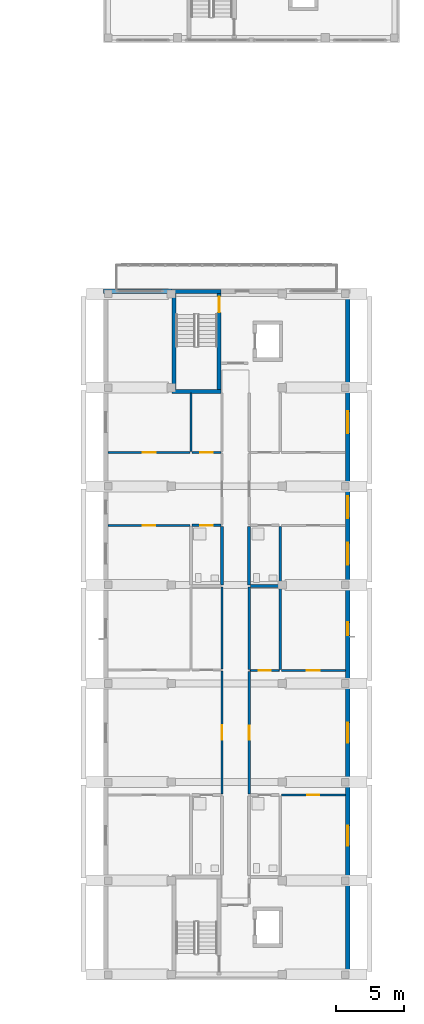
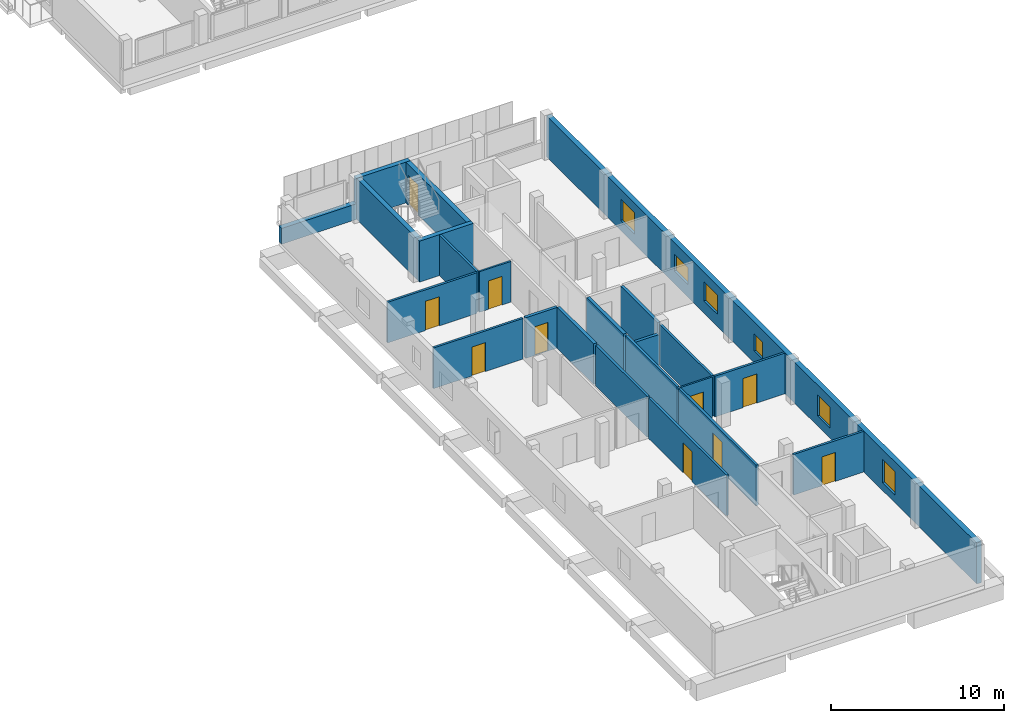
# One storey, part 21 of 41: 23 walls, 10 doors, 6 windows, 16 openings.
"""IFC4 building model written with IfcOpenShell, lengths in metres."""

from ifc_helpers import new_model, si_unit, derived_unit, direction, frame, frame_2d, origin, place, context, subcontext, project, spatial, rectangle, extrude, material, layer, layer_set, type_object, element, fill, save


model = new_model("IFC4")

# Units and contexts
model_context = context("Model", 3, precision=1e-05, world=origin(), true_north=direction((0.0, 1.0)))
body_context = subcontext(model_context, "Body", "Model", "MODEL_VIEW")
ifc_project = project(units=[si_unit("LENGTHUNIT", "METRE"), si_unit("AREAUNIT", "SQUARE_METRE"), si_unit("VOLUMEUNIT", "CUBIC_METRE"), si_unit("PLANEANGLEUNIT", "RADIAN"), si_unit("MASSUNIT", "GRAM", prefix="KILO"), derived_unit("THERMALTRANSMITTANCEUNIT", [(si_unit("MASSUNIT", "GRAM", prefix="KILO"), 1), (si_unit("TIMEUNIT", "SECOND"), -3), (si_unit("THERMODYNAMICTEMPERATUREUNIT", "KELVIN"), -1)])], contexts=[model_context])

# Site, building, storey
site_placement = place(None, origin())
site = spatial("IfcSite", under=ifc_project, at=site_placement, CompositionType="ELEMENT")
building_placement = place(site_placement, origin())
building = spatial("IfcBuilding", under=site, at=building_placement, Name="Ochrekiln Boulevard Commons", CompositionType="ELEMENT")
storey_placement = place(building_placement, frame((0.0, 0.0, 21.52490234375)))
storey = spatial("IfcBuildingStorey", under=building, at=storey_placement, Name="L06", CompositionType="ELEMENT", Elevation=21.52490234375)

# Wall, openings, windows
ifc_material_1 = material(Name="Desert ochre clinker brick masonry ASTM C216 Grade SW", Category="masonry")
ifc_layer_1 = layer(ifc_material_1, 0.330078125)
ifc_layer_set_1 = layer_set([ifc_layer_1], Name="Desert ochre clinker brick masonry ASTM C216 Grade SW")
wall_type_1 = type_object("IfcWallType", Name="WL-EXT-OCHRE-330", PredefinedType="SOLIDWALL", material=ifc_layer_set_1)
wall_1_placement = place(storey_placement, frame((169.034912109375, 0.330078125, 0.0), z_axis=(0.0, 0.0, 1.0), x_axis=(0.0, 1.0, 0.0)))
wall_1 = element("IfcWall", 1, at=wall_1_placement, inside=storey, type_object=wall_type_1, Name="Block C L06 E Exterior Wall", PredefinedType="SOLIDWALL", context=body_context, shape_type="SweptSolid", body=[
    extrude(rectangle(XDim=49.739990234375, YDim=0.330078125, at=frame_2d((24.8701171875, 0.0))), origin(), (0.0, 0.0, 1.0), 2.89013671875),
])
opening_1_placement = place(wall_1_placement, frame((16.929931640625, 0.0, 0.705078125)))
opening_1 = element("IfcOpeningElement", 2, at=opening_1_placement, cuts=wall_1, Name="Opening W-28", PredefinedType="OPENING", context=body_context, shape_type="SweptSolid", body=[
    extrude(rectangle(XDim=1.47998046875, YDim=1.5, at=frame_2d((0.739990234375, 0.75))), frame((0.0, 0.175048828125, 0.0), z_axis=(0.0, -1.0, 0.0), x_axis=(1.0, 0.0, 0.0)), (0.0, 0.0, 1.0), 0.35009765625),
])
opening_2_placement = place(wall_1_placement, frame((9.4150390625, 0.0, 0.554931640625)))
opening_2 = element("IfcOpeningElement", 3, at=opening_2_placement, cuts=wall_1, Name="Opening W-29", PredefinedType="OPENING", context=body_context, shape_type="SweptSolid", body=[
    extrude(rectangle(XDim=1.47998046875, YDim=1.64990234375, at=frame_2d((0.739990234375, 0.824951171875))), frame((0.0, 0.175048828125, 0.0), z_axis=(0.0, -1.0, 0.0), x_axis=(1.0, 0.0, 0.0)), (0.0, 0.0, 1.0), 0.35009765625),
])
opening_3_placement = place(wall_1_placement, frame((24.77490234375, 0.0, 0.85009765625)))
opening_3 = element("IfcOpeningElement", 4, at=opening_3_placement, cuts=wall_1, Name="Opening W-01", PredefinedType="OPENING", context=body_context, shape_type="SweptSolid", body=[
    extrude(rectangle(XDim=0.949951171875, YDim=1.199951171875, at=frame_2d((0.47509765625, 0.60009765625))), frame((0.0, 0.175048828125, 0.0), z_axis=(0.0, -1.0, 0.0), x_axis=(1.0, 0.0, 0.0)), (0.0, 0.0, 1.0), 0.35009765625),
])
opening_4_placement = place(wall_1_placement, frame((33.34912109375, 0.0, 0.89990234375)))
opening_4 = element("IfcOpeningElement", 5, at=opening_4_placement, cuts=wall_1, Name="Opening W-31", PredefinedType="OPENING", context=body_context, shape_type="SweptSolid", body=[
    extrude(rectangle(XDim=1.60009765625, YDim=1.199951171875, at=frame_2d((0.800048828125, 0.60009765625))), frame((0.0, 0.175048828125, 0.0), z_axis=(0.0, -1.0, 0.0), x_axis=(1.0, 0.0, 0.0)), (0.0, 0.0, 1.0), 0.35009765625),
])
opening_5_placement = place(wall_1_placement, frame((29.93896484375, 0.0, 0.85498046875)))
opening_5 = element("IfcOpeningElement", 6, at=opening_5_placement, cuts=wall_1, Name="Opening W-32", PredefinedType="OPENING", context=body_context, shape_type="SweptSolid", body=[
    extrude(rectangle(XDim=1.60009765625, YDim=1.35009765625, at=frame_2d((0.800048828125, 0.675048828125))), frame((0.0, 0.175048828125, 0.0), z_axis=(0.0, -1.0, 0.0), x_axis=(1.0, 0.0, 0.0)), (0.0, 0.0, 1.0), 0.35009765625),
])
opening_6_placement = place(wall_1_placement, frame((39.541015625, 0.0, 0.705078125)))
opening_6 = element("IfcOpeningElement", 7, at=opening_6_placement, cuts=wall_1, Name="Opening W-33", PredefinedType="OPENING", context=body_context, shape_type="SweptSolid", body=[
    extrude(rectangle(XDim=1.60009765625, YDim=1.5, at=frame_2d((0.800048828125, 0.75))), frame((0.0, 0.175048828125, 0.0), z_axis=(0.0, -1.0, 0.0), x_axis=(1.0, 0.0, 0.0)), (0.0, 0.0, 1.0), 0.35009765625),
])
ifc_material_2 = material(Name="Thermally broken aluminium-clad oak frame", Category="aluminium")
window_type_1 = type_object("IfcWindowType", Name="WIN-EXT-01", PartitioningType="SINGLE_PANEL", PredefinedType="WINDOW", material=ifc_material_2)
window_1_placement = place(opening_3_placement, origin())
window_1 = element("IfcWindow", 8, at=window_1_placement, inside=storey, type_object=window_type_1, Name="Block C L06 Punched Masonry Window W-01", OverallHeight=1.199951171875, OverallWidth=0.949951171875, PartitioningType="SINGLE_PANEL", PredefinedType="WINDOW", context=body_context, shape_type="SweptSolid", body=[
    extrude(rectangle(XDim=0.949951171875, YDim=1.199951171875, at=frame_2d((0.47509765625, 0.60009765625))), frame((0.0, 0.030029296875, 0.0), z_axis=(0.0, -1.0, 0.0), x_axis=(1.0, 0.0, 0.0)), (0.0, 0.0, 1.0), 0.06005859375),
])
fill(opening_3, window_1)
window_type_2 = type_object("IfcWindowType", Name="WIN-EXT-28", PartitioningType="SINGLE_PANEL", PredefinedType="WINDOW", material=ifc_material_2)
window_2_placement = place(opening_1_placement, origin())
window_2 = element("IfcWindow", 9, at=window_2_placement, inside=storey, type_object=window_type_2, Name="Block C L06 Punched Masonry Window W-28", OverallHeight=1.5, OverallWidth=1.47998046875, PartitioningType="SINGLE_PANEL", PredefinedType="WINDOW", context=body_context, shape_type="SweptSolid", body=[
    extrude(rectangle(XDim=1.47998046875, YDim=1.5, at=frame_2d((0.739990234375, 0.75))), frame((0.0, 0.030029296875, 0.0), z_axis=(0.0, -1.0, 0.0), x_axis=(1.0, 0.0, 0.0)), (0.0, 0.0, 1.0), 0.06005859375),
])
fill(opening_1, window_2)
window_type_3 = type_object("IfcWindowType", Name="WIN-EXT-29", PartitioningType="SINGLE_PANEL", PredefinedType="WINDOW", material=ifc_material_2)
window_3_placement = place(opening_2_placement, origin())
window_3 = element("IfcWindow", 10, at=window_3_placement, inside=storey, type_object=window_type_3, Name="Block C L06 Punched Masonry Window W-29", OverallHeight=1.64990234375, OverallWidth=1.47998046875, PartitioningType="SINGLE_PANEL", PredefinedType="WINDOW", context=body_context, shape_type="SweptSolid", body=[
    extrude(rectangle(XDim=1.47998046875, YDim=1.64990234375, at=frame_2d((0.739990234375, 0.824951171875))), frame((0.0, 0.030029296875, 0.0), z_axis=(0.0, -1.0, 0.0), x_axis=(1.0, 0.0, 0.0)), (0.0, 0.0, 1.0), 0.06005859375),
])
fill(opening_2, window_3)
window_type_4 = type_object("IfcWindowType", Name="WIN-EXT-31", PartitioningType="DOUBLE_PANEL_VERTICAL", PredefinedType="WINDOW", material=ifc_material_2)
window_4_placement = place(opening_4_placement, origin())
window_4 = element("IfcWindow", 11, at=window_4_placement, inside=storey, type_object=window_type_4, Name="Block C L06 Punched Masonry Window W-31", OverallHeight=1.199951171875, OverallWidth=1.60009765625, PartitioningType="DOUBLE_PANEL_VERTICAL", PredefinedType="WINDOW", context=body_context, shape_type="SweptSolid", body=[
    extrude(rectangle(XDim=1.60009765625, YDim=1.199951171875, at=frame_2d((0.800048828125, 0.60009765625))), frame((0.0, 0.030029296875, 0.0), z_axis=(0.0, -1.0, 0.0), x_axis=(1.0, 0.0, 0.0)), (0.0, 0.0, 1.0), 0.06005859375),
])
fill(opening_4, window_4)
window_type_5 = type_object("IfcWindowType", Name="WIN-EXT-32", PartitioningType="DOUBLE_PANEL_VERTICAL", PredefinedType="WINDOW", material=ifc_material_2)
window_5_placement = place(opening_5_placement, origin())
window_5 = element("IfcWindow", 12, at=window_5_placement, inside=storey, type_object=window_type_5, Name="Block C L06 Punched Masonry Window W-32", OverallHeight=1.35009765625, OverallWidth=1.60009765625, PartitioningType="DOUBLE_PANEL_VERTICAL", PredefinedType="WINDOW", context=body_context, shape_type="SweptSolid", body=[
    extrude(rectangle(XDim=1.60009765625, YDim=1.35009765625, at=frame_2d((0.800048828125, 0.675048828125))), frame((0.0, 0.030029296875, 0.0), z_axis=(0.0, -1.0, 0.0), x_axis=(1.0, 0.0, 0.0)), (0.0, 0.0, 1.0), 0.06005859375),
])
fill(opening_5, window_5)
window_type_6 = type_object("IfcWindowType", Name="WIN-EXT-33", PartitioningType="DOUBLE_PANEL_VERTICAL", PredefinedType="WINDOW", material=ifc_material_2)
window_6_placement = place(opening_6_placement, origin())
window_6 = element("IfcWindow", 13, at=window_6_placement, inside=storey, type_object=window_type_6, Name="Block C L06 Punched Masonry Window W-33", OverallHeight=1.5, OverallWidth=1.60009765625, PartitioningType="DOUBLE_PANEL_VERTICAL", PredefinedType="WINDOW", context=body_context, shape_type="SweptSolid", body=[
    extrude(rectangle(XDim=1.60009765625, YDim=1.5, at=frame_2d((0.800048828125, 0.75))), frame((0.0, 0.030029296875, 0.0), z_axis=(0.0, -1.0, 0.0), x_axis=(1.0, 0.0, 0.0)), (0.0, 0.0, 1.0), 0.06005859375),
])
fill(opening_6, window_6)

# Wall
wall_2_placement = place(storey_placement, frame((151.199951171875, 50.235107421875, 0.0), z_axis=(0.0, 0.0, 1.0), x_axis=(1.0, 0.0, 0.0)))
element("IfcWall", 14, at=wall_2_placement, inside=storey, type_object=wall_type_1, Name="Block C L06 Courtyard Gable Sill Wall L", PredefinedType="SOLIDWALL", context=body_context, shape_type="SweptSolid", body=[
    extrude(rectangle(XDim=5.0, YDim=0.330078125, at=frame_2d((2.5, 0.0))), origin(), (0.0, 0.0, 1.0), 1.110107421875),
])

# Wall, opening, door
ifc_material_3 = material(Name="Moisture-resistant cementitious tile backer wall")
ifc_layer_2 = layer(ifc_material_3, 0.199951171875)
ifc_layer_set_2 = layer_set([ifc_layer_2], Name="Moisture-resistant cementitious tile backer wall")
wall_type_2 = type_object("IfcWallType", Name="WL-PLM-200", PredefinedType="PLUMBINGWALL", material=ifc_layer_set_2)
wall_3_placement = place(storey_placement, frame((157.669921875, 33.14697265625, 0.0), z_axis=(0.0, 0.0, 1.0), x_axis=(1.0, 0.0, 0.0)))
wall_3 = element("IfcWall", 15, at=wall_3_placement, inside=storey, type_object=wall_type_2, Name="L06 Interior Wall W-PW200", PredefinedType="PLUMBINGWALL", context=body_context, shape_type="SweptSolid", body=[
    extrude(rectangle(XDim=2.108154296875, YDim=0.199951171875, at=frame_2d((1.05419921875, 0.0))), origin(), (0.0, 0.0, 1.0), 2.8701171875),
])
opening_7_placement = place(wall_3_placement, frame((0.60498046875, 0.0, 0.0)))
opening_7 = element("IfcOpeningElement", 16, at=opening_7_placement, cuts=wall_3, Name="Opening D-L06-855", PredefinedType="OPENING", context=body_context, shape_type="SweptSolid", body=[
    extrude(rectangle(XDim=0.889892578125, YDim=2.030029296875, at=frame_2d((0.44482421875, 1.01513671875))), frame((0.0, 0.10986328125, 0.0), z_axis=(0.0, -1.0, 0.0), x_axis=(1.0, 0.0, 0.0)), (0.0, 0.0, 1.0), 0.219970703125),
])
ifc_material_4 = material(Name="Solid core architectural oak door leaf")
door_type_1 = type_object("IfcDoorType", Name="DR-INT-BTH-089", OperationType="NOTDEFINED", PredefinedType="DOOR", material=ifc_material_4)
door_1_placement = place(opening_7_placement, frame((0.889892578125, 0.0, 0.0), z_axis=(0.0, 0.0, 1.0), x_axis=(-1.0, 0.0, 0.0)))
door_1 = element("IfcDoor", 17, at=door_1_placement, inside=storey, type_object=door_type_1, Name="L06 Interior Door to Apartment Bathroom", OperationType="SINGLE_SWING_LEFT", OverallHeight=2.030029296875, OverallWidth=0.889892578125, PredefinedType="DOOR", context=body_context, shape_type="SweptSolid", body=[
    extrude(rectangle(XDim=0.889892578125, YDim=2.030029296875, at=frame_2d((0.44482421875, 1.01513671875))), frame((0.0, 0.02490234375, 0.0), z_axis=(0.0, -1.0, 0.0), x_axis=(1.0, 0.0, 0.0)), (0.0, 0.0, 1.0), 0.050048828125),
])
fill(opening_7, door_1)

# Walls
wall_4_placement = place(storey_placement, frame((161.923095703125, 28.719970703125, 0.0), z_axis=(0.0, 0.0, 1.0), x_axis=(1.0, 0.0, 0.0)))
element("IfcWall", 18, at=wall_4_placement, inside=storey, type_object=wall_type_2, Name="L06 Interior Wall W-PW200", PredefinedType="PLUMBINGWALL", context=body_context, shape_type="SweptSolid", body=[
    extrude(rectangle(XDim=2.11181640625, YDim=0.199951171875, at=frame_2d((1.055908203125, 0.0))), origin(), (0.0, 0.0, 1.0), 2.16015625),
])
wall_5_placement = place(storey_placement, frame((164.110107421875, 28.81005859375, 0.0), z_axis=(0.0, 0.0, 1.0), x_axis=(0.0, 1.0, 0.0)))
element("IfcWall", 19, at=wall_5_placement, inside=storey, type_object=wall_type_2, Name="L06 Interior Wall W-PW200", PredefinedType="PLUMBINGWALL", context=body_context, shape_type="SweptSolid", body=[
    extrude(rectangle(XDim=4.2568359375, YDim=0.199951171875, at=frame_2d((2.12841796875, 0.0))), origin(), (0.0, 0.0, 1.0), 2.8701171875),
])
ifc_layer_3 = layer(ifc_material_3, 0.219970703125)
ifc_layer_set_3 = layer_set([ifc_layer_3], Name="Moisture-resistant cementitious tile backer wall")
wall_type_3 = type_object("IfcWallType", Name="WL-PLM-220", PredefinedType="PLUMBINGWALL", material=ifc_layer_set_3)
for number, where, z_axis, x_axis, name in (
    (20, (159.860107421875, 28.81005859375, 0.0), (0.0, 0.0, 1.0), (0.0, 1.0, 0.0), "L06 Interior Wall W-PW220"),
    (21, (161.840087890625, 28.81005859375, 0.0), (0.0, 0.0, 1.0), (0.0, 1.0, 0.0), "L06 Interior Wall W-PW220"),
):
    element("IfcWall", number, at=place(storey_placement, frame(where, z_axis=z_axis, x_axis=x_axis)), inside=storey, type_object=wall_type_3, Name=name, PredefinedType="PLUMBINGWALL", context=body_context, shape_type="SweptSolid", body=[
        extrude(rectangle(XDim=4.2568359375, YDim=0.219970703125, at=frame_2d((2.12841796875, 0.0))), origin(), (0.0, 0.0, 1.0), 2.8701171875),
    ])

# Wall, opening, door
ifc_material_5 = material(Name="Fire-rated Type X gypsum board on steel studs", Category="steel")
ifc_layer_4 = layer(ifc_material_5, 0.1650390625)
ifc_layer_set_4 = layer_set([ifc_layer_4], Name="Fire-rated Type X gypsum board on steel studs")
wall_type_4 = type_object("IfcWallType", Name="WL-PT-CORR-165", PredefinedType="PARTITIONING", material=ifc_layer_set_4)
wall_6_placement = place(storey_placement, frame((159.860107421875, 13.530029296875, 0.0), z_axis=(0.0, 0.0, 1.0), x_axis=(0.0, 1.0, 0.0)))
wall_6 = element("IfcWall", 22, at=wall_6_placement, inside=storey, type_object=wall_type_4, Name="L06 Interior Wall W-PC165", PredefinedType="PARTITIONING", context=body_context, shape_type="SweptSolid", body=[
    extrude(rectangle(XDim=8.98388671875, YDim=0.1650390625, at=frame_2d((4.491943359375, 0.0))), origin(), (0.0, 0.0, 1.0), 2.8701171875),
])
opening_8_placement = place(wall_6_placement, frame((3.967041015625, 0.0, 0.0)))
opening_8 = element("IfcOpeningElement", 23, at=opening_8_placement, cuts=wall_6, Name="Opening D-L06-847", PredefinedType="OPENING", context=body_context, shape_type="SweptSolid", body=[
    extrude(rectangle(XDim=1.050048828125, YDim=2.1298828125, at=frame_2d((0.52490234375, 1.06494140625))), frame((0.0, 0.092529296875, 0.0), z_axis=(0.0, -1.0, 0.0), x_axis=(1.0, 0.0, 0.0)), (0.0, 0.0, 1.0), 0.18505859375),
])
door_type_2 = type_object("IfcDoorType", Name="DR-INT-APT-105", OperationType="NOTDEFINED", PredefinedType="DOOR", material=ifc_material_4)
door_2_placement = place(opening_8_placement, origin())
door_2 = element("IfcDoor", 24, at=door_2_placement, inside=storey, type_object=door_type_2, Name="L06 Interior Door to Two-Bedroom Apartment Living Room", OperationType="SINGLE_SWING_LEFT", OverallHeight=2.1298828125, OverallWidth=1.050048828125, PredefinedType="DOOR", context=body_context, shape_type="SweptSolid", body=[
    extrude(rectangle(XDim=1.050048828125, YDim=2.1298828125, at=frame_2d((0.52490234375, 1.06494140625))), frame((0.0, 0.02490234375, 0.0), z_axis=(0.0, -1.0, 0.0), x_axis=(1.0, 0.0, 0.0)), (0.0, 0.0, 1.0), 0.050048828125),
])
fill(opening_8, door_2)

# Wall
wall_7_placement = place(storey_placement, frame((159.860107421875, 22.674072265625, 0.0), z_axis=(0.0, 0.0, 1.0), x_axis=(0.0, 1.0, 0.0)))
element("IfcWall", 25, at=wall_7_placement, inside=storey, type_object=wall_type_4, Name="L06 Interior Wall W-PC165", PredefinedType="PARTITIONING", context=body_context, shape_type="SweptSolid", body=[
    extrude(rectangle(XDim=5.955810546875, YDim=0.1650390625, at=frame_2d((2.97802734375, 0.0))), origin(), (0.0, 0.0, 1.0), 2.8701171875),
])

# Wall, opening, door
wall_8_placement = place(storey_placement, frame((161.840087890625, 13.530029296875, 0.0), z_axis=(0.0, 0.0, 1.0), x_axis=(0.0, 1.0, 0.0)))
wall_8 = element("IfcWall", 26, at=wall_8_placement, inside=storey, type_object=wall_type_4, Name="L06 Interior Wall W-PC165", PredefinedType="PARTITIONING", context=body_context, shape_type="SweptSolid", body=[
    extrude(rectangle(XDim=8.93994140625, YDim=0.1650390625, at=frame_2d((4.469970703125, 0.0))), origin(), (0.0, 0.0, 1.0), 2.8701171875),
])
opening_9_placement = place(wall_8_placement, frame((3.945068359375, 0.0, 0.0)))
opening_9 = element("IfcOpeningElement", 27, at=opening_9_placement, cuts=wall_8, Name="Opening D-L06-849", PredefinedType="OPENING", context=body_context, shape_type="SweptSolid", body=[
    extrude(rectangle(XDim=1.050048828125, YDim=2.1298828125, at=frame_2d((0.52490234375, 1.06494140625))), frame((0.0, 0.092529296875, 0.0), z_axis=(0.0, -1.0, 0.0), x_axis=(1.0, 0.0, 0.0)), (0.0, 0.0, 1.0), 0.18505859375),
])
door_3_placement = place(opening_9_placement, frame((1.050048828125, 0.0, 0.0), z_axis=(0.0, 0.0, 1.0), x_axis=(-1.0, 0.0, 0.0)))
door_3 = element("IfcDoor", 28, at=door_3_placement, inside=storey, type_object=door_type_2, Name="L06 Interior Door to Two-Bedroom Apartment Living Room", OperationType="SINGLE_SWING_LEFT", OverallHeight=2.1298828125, OverallWidth=1.050048828125, PredefinedType="DOOR", context=body_context, shape_type="SweptSolid", body=[
    extrude(rectangle(XDim=1.050048828125, YDim=2.1298828125, at=frame_2d((0.52490234375, 1.06494140625))), frame((0.0, 0.02490234375, 0.0), z_axis=(0.0, -1.0, 0.0), x_axis=(1.0, 0.0, 0.0)), (0.0, 0.0, 1.0), 0.050048828125),
])
fill(opening_9, door_3)

# Wall
wall_9_placement = place(storey_placement, frame((161.840087890625, 22.6298828125, 0.0), z_axis=(0.0, 0.0, 1.0), x_axis=(0.0, 1.0, 0.0)))
element("IfcWall", 29, at=wall_9_placement, inside=storey, type_object=wall_type_4, Name="L06 Interior Wall W-PC165", PredefinedType="PARTITIONING", context=body_context, shape_type="SweptSolid", body=[
    extrude(rectangle(XDim=6.0, YDim=0.1650390625, at=frame_2d((3.0, 0.0))), origin(), (0.0, 0.0, 1.0), 2.8701171875),
])

# Wall, opening, door
ifc_layer_5 = layer(ifc_material_5, 0.1201171875)
ifc_layer_set_5 = layer_set([ifc_layer_5], Name="Fire-rated Type X gypsum board on steel studs")
wall_type_5 = type_object("IfcWallType", Name="WL-PT-LGT-120", PredefinedType="PARTITIONING", material=ifc_layer_set_5)
wall_10_placement = place(storey_placement, frame((157.669921875, 38.462890625, 0.0), z_axis=(0.0, 0.0, 1.0), x_axis=(1.0, 0.0, 0.0)))
wall_10 = element("IfcWall", 30, at=wall_10_placement, inside=storey, type_object=wall_type_5, Name="L06 Interior Wall W-PL120", PredefinedType="PARTITIONING", context=body_context, shape_type="SweptSolid", body=[
    extrude(rectangle(XDim=2.108154296875, YDim=0.1201171875, at=frame_2d((1.05419921875, 0.0))), origin(), (0.0, 0.0, 1.0), 2.8701171875),
])
opening_10_placement = place(wall_10_placement, frame((0.590087890625, 0.0, 0.0)))
opening_10 = element("IfcOpeningElement", 31, at=opening_10_placement, cuts=wall_10, Name="Opening D-L06-856", PredefinedType="OPENING", context=body_context, shape_type="SweptSolid", body=[
    extrude(rectangle(XDim=0.919921875, YDim=2.02001953125, at=frame_2d((0.4599609375, 1.010009765625))), frame((0.0, 0.070068359375, 0.0), z_axis=(0.0, -1.0, 0.0), x_axis=(1.0, 0.0, 0.0)), (0.0, 0.0, 1.0), 0.14013671875),
])
door_type_3 = type_object("IfcDoorType", Name="DR-INT-KIT-092", OperationType="NOTDEFINED", PredefinedType="DOOR", material=ifc_material_4)
door_4_placement = place(opening_10_placement, origin())
door_4 = element("IfcDoor", 32, at=door_4_placement, inside=storey, type_object=door_type_3, Name="L06 Interior Door to Apartment Kitchen", OperationType="SINGLE_SWING_RIGHT", OverallHeight=2.02001953125, OverallWidth=0.919921875, PredefinedType="DOOR", context=body_context, shape_type="SweptSolid", body=[
    extrude(rectangle(XDim=0.919921875, YDim=2.02001953125, at=frame_2d((0.4599609375, 1.010009765625))), frame((0.0, 0.02490234375, 0.0), z_axis=(0.0, -1.0, 0.0), x_axis=(1.0, 0.0, 0.0)), (0.0, 0.0, 1.0), 0.050048828125),
])
fill(opening_10, door_4)

wall_11_placement = place(storey_placement, frame((161.923095703125, 22.550048828125, 0.0), z_axis=(0.0, 0.0, 1.0), x_axis=(1.0, 0.0, 0.0)))
wall_11 = element("IfcWall", 33, at=wall_11_placement, inside=storey, type_object=wall_type_5, Name="L06 Interior Wall W-PL120", PredefinedType="PARTITIONING", context=body_context, shape_type="SweptSolid", body=[
    extrude(rectangle(XDim=2.10693359375, YDim=0.1201171875, at=frame_2d((1.053466796875, 0.0))), origin(), (0.0, 0.0, 1.0), 2.8701171875),
])
opening_11_placement = place(wall_11_placement, frame((0.616943359375, 0.0, 0.0)))
opening_11 = element("IfcOpeningElement", 34, at=opening_11_placement, cuts=wall_11, Name="Opening D-L06-860", PredefinedType="OPENING", context=body_context, shape_type="SweptSolid", body=[
    extrude(rectangle(XDim=0.8798828125, YDim=2.02001953125, at=frame_2d((0.43994140625, 1.010009765625))), frame((0.0, 0.070068359375, 0.0), z_axis=(0.0, -1.0, 0.0), x_axis=(1.0, 0.0, 0.0)), (0.0, 0.0, 1.0), 0.14013671875),
])
door_type_4 = type_object("IfcDoorType", Name="DR-INT-KIT-088", OperationType="NOTDEFINED", PredefinedType="DOOR", material=ifc_material_4)
door_5_placement = place(opening_11_placement, origin())
door_5 = element("IfcDoor", 35, at=door_5_placement, inside=storey, type_object=door_type_4, Name="L06 Interior Door to Apartment Kitchen", OperationType="SINGLE_SWING_RIGHT", OverallHeight=2.02001953125, OverallWidth=0.8798828125, PredefinedType="DOOR", context=body_context, shape_type="SweptSolid", body=[
    extrude(rectangle(XDim=0.8798828125, YDim=2.02001953125, at=frame_2d((0.43994140625, 1.010009765625))), frame((0.0, 0.02490234375, 0.0), z_axis=(0.0, -1.0, 0.0), x_axis=(1.0, 0.0, 0.0)), (0.0, 0.0, 1.0), 0.050048828125),
])
fill(opening_11, door_5)

ifc_layer_6 = layer(ifc_material_5, 0.14990234375)
ifc_layer_set_6 = layer_set([ifc_layer_6], Name="Fire-rated Type X gypsum board on steel studs")
wall_type_6 = type_object("IfcWallType", Name="WL-PT-STD-150", PredefinedType="PARTITIONING", material=ifc_layer_set_6)
wall_12_placement = place(storey_placement, frame((151.530029296875, 33.14697265625, 0.0), z_axis=(0.0, 0.0, 1.0), x_axis=(1.0, 0.0, 0.0)))
wall_12 = element("IfcWall", 36, at=wall_12_placement, inside=storey, type_object=wall_type_6, Name="L06 Interior Wall W-PS150", PredefinedType="PARTITIONING", context=body_context, shape_type="SweptSolid", body=[
    extrude(rectangle(XDim=5.97998046875, YDim=0.14990234375, at=frame_2d((2.989990234375, 0.0))), origin(), (0.0, 0.0, 1.0), 2.8701171875),
])
opening_12_placement = place(wall_12_placement, frame((2.550048828125, 0.0, 0.0)))
opening_12 = element("IfcOpeningElement", 37, at=opening_12_placement, cuts=wall_12, Name="Opening D-L06-857", PredefinedType="OPENING", context=body_context, shape_type="SweptSolid", body=[
    extrude(rectangle(XDim=0.89990234375, YDim=2.0400390625, at=frame_2d((0.449951171875, 1.02001953125))), frame((0.0, 0.0849609375, 0.0), z_axis=(0.0, -1.0, 0.0), x_axis=(1.0, 0.0, 0.0)), (0.0, 0.0, 1.0), 0.169921875),
])
door_type_5 = type_object("IfcDoorType", Name="DR-INT-BED-090", OperationType="NOTDEFINED", PredefinedType="DOOR", material=ifc_material_4)
door_6_placement = place(opening_12_placement, frame((0.89990234375, 0.0, 0.0), z_axis=(0.0, 0.0, 1.0), x_axis=(-1.0, 0.0, 0.0)))
door_6 = element("IfcDoor", 38, at=door_6_placement, inside=storey, type_object=door_type_5, Name="L06 Interior Door to Primary Apartment Bedroom", OperationType="SINGLE_SWING_LEFT", OverallHeight=2.0400390625, OverallWidth=0.89990234375, PredefinedType="DOOR", context=body_context, shape_type="SweptSolid", body=[
    extrude(rectangle(XDim=0.89990234375, YDim=2.0400390625, at=frame_2d((0.449951171875, 1.02001953125))), frame((0.0, 0.02490234375, 0.0), z_axis=(0.0, -1.0, 0.0), x_axis=(1.0, 0.0, 0.0)), (0.0, 0.0, 1.0), 0.050048828125),
])
fill(opening_12, door_6)

wall_13_placement = place(storey_placement, frame((151.530029296875, 38.462890625, 0.0), z_axis=(0.0, 0.0, 1.0), x_axis=(1.0, 0.0, 0.0)))
wall_13 = element("IfcWall", 39, at=wall_13_placement, inside=storey, type_object=wall_type_6, Name="L06 Interior Wall W-PS150", PredefinedType="PARTITIONING", context=body_context, shape_type="SweptSolid", body=[
    extrude(rectangle(XDim=5.97998046875, YDim=0.14990234375, at=frame_2d((2.989990234375, 0.0))), origin(), (0.0, 0.0, 1.0), 2.8701171875),
])
opening_13_placement = place(wall_13_placement, frame((2.530029296875, 0.0, 0.0)))
opening_13 = element("IfcOpeningElement", 40, at=opening_13_placement, cuts=wall_13, Name="Opening D-L06-858", PredefinedType="OPENING", context=body_context, shape_type="SweptSolid", body=[
    extrude(rectangle(XDim=0.93994140625, YDim=2.06005859375, at=frame_2d((0.469970703125, 1.030029296875))), frame((0.0, 0.0849609375, 0.0), z_axis=(0.0, -1.0, 0.0), x_axis=(1.0, 0.0, 0.0)), (0.0, 0.0, 1.0), 0.169921875),
])
door_type_6 = type_object("IfcDoorType", Name="DR-INT-BED-094", OperationType="NOTDEFINED", PredefinedType="DOOR", material=ifc_material_4)
door_7_placement = place(opening_13_placement, origin())
door_7 = element("IfcDoor", 41, at=door_7_placement, inside=storey, type_object=door_type_6, Name="L06 Interior Door to Secondary Apartment Bedroom", OperationType="SINGLE_SWING_RIGHT", OverallHeight=2.06005859375, OverallWidth=0.93994140625, PredefinedType="DOOR", context=body_context, shape_type="SweptSolid", body=[
    extrude(rectangle(XDim=0.93994140625, YDim=2.06005859375, at=frame_2d((0.469970703125, 1.030029296875))), frame((0.0, 0.02490234375, 0.0), z_axis=(0.0, -1.0, 0.0), x_axis=(1.0, 0.0, 0.0)), (0.0, 0.0, 1.0), 0.050048828125),
])
fill(opening_13, door_7)

# Wall
wall_14_placement = place(storey_placement, frame((157.590087890625, 38.52294921875, 0.0), z_axis=(0.0, 0.0, 1.0), x_axis=(0.0, 1.0, 0.0)))
element("IfcWall", 42, at=wall_14_placement, inside=storey, type_object=wall_type_6, Name="L06 Interior Wall W-PS150", PredefinedType="PARTITIONING", context=body_context, shape_type="SweptSolid", body=[
    extrude(rectangle(XDim=4.277099609375, YDim=0.14990234375, at=frame_2d((2.138671875, 0.0))), origin(), (0.0, 0.0, 1.0), 2.8701171875),
])

# Wall, opening, door
wall_15_placement = place(storey_placement, frame((164.18994140625, 13.449951171875, 0.0), z_axis=(0.0, 0.0, 1.0), x_axis=(1.0, 0.0, 0.0)))
wall_15 = element("IfcWall", 43, at=wall_15_placement, inside=storey, type_object=wall_type_6, Name="L06 Interior Wall W-PS150", PredefinedType="PARTITIONING", context=body_context, shape_type="SweptSolid", body=[
    extrude(rectangle(XDim=4.68017578125, YDim=0.14990234375, at=frame_2d((2.340087890625, 0.0))), origin(), (0.0, 0.0, 1.0), 2.8701171875),
])
opening_14_placement = place(wall_15_placement, frame((1.8798828125, 0.0, 0.0)))
opening_14 = element("IfcOpeningElement", 44, at=opening_14_placement, cuts=wall_15, Name="Opening D-L06-861", PredefinedType="OPENING", context=body_context, shape_type="SweptSolid", body=[
    extrude(rectangle(XDim=0.89990234375, YDim=2.0400390625, at=frame_2d((0.449951171875, 1.02001953125))), frame((0.0, 0.0849609375, 0.0), z_axis=(0.0, -1.0, 0.0), x_axis=(1.0, 0.0, 0.0)), (0.0, 0.0, 1.0), 0.169921875),
])
door_8_placement = place(opening_14_placement, frame((0.89990234375, 0.0, 0.0), z_axis=(0.0, 0.0, 1.0), x_axis=(-1.0, 0.0, 0.0)))
door_8 = element("IfcDoor", 45, at=door_8_placement, inside=storey, type_object=door_type_5, Name="L06 Interior Door to Primary Apartment Bedroom", OperationType="SINGLE_SWING_LEFT", OverallHeight=2.0400390625, OverallWidth=0.89990234375, PredefinedType="DOOR", context=body_context, shape_type="SweptSolid", body=[
    extrude(rectangle(XDim=0.89990234375, YDim=2.0400390625, at=frame_2d((0.449951171875, 1.02001953125))), frame((0.0, 0.02490234375, 0.0), z_axis=(0.0, -1.0, 0.0), x_axis=(1.0, 0.0, 0.0)), (0.0, 0.0, 1.0), 0.050048828125),
])
fill(opening_14, door_8)

wall_16_placement = place(storey_placement, frame((164.18994140625, 22.550048828125, 0.0), z_axis=(0.0, 0.0, 1.0), x_axis=(1.0, 0.0, 0.0)))
wall_16 = element("IfcWall", 46, at=wall_16_placement, inside=storey, type_object=wall_type_6, Name="L06 Interior Wall W-PS150", PredefinedType="PARTITIONING", context=body_context, shape_type="SweptSolid", body=[
    extrude(rectangle(XDim=4.68017578125, YDim=0.14990234375, at=frame_2d((2.340087890625, 0.0))), origin(), (0.0, 0.0, 1.0), 2.8701171875),
])
opening_15_placement = place(wall_16_placement, frame((1.860107421875, 0.0, 0.0)))
opening_15 = element("IfcOpeningElement", 47, at=opening_15_placement, cuts=wall_16, Name="Opening D-L06-862", PredefinedType="OPENING", context=body_context, shape_type="SweptSolid", body=[
    extrude(rectangle(XDim=0.93994140625, YDim=2.06005859375, at=frame_2d((0.469970703125, 1.030029296875))), frame((0.0, 0.0849609375, 0.0), z_axis=(0.0, -1.0, 0.0), x_axis=(1.0, 0.0, 0.0)), (0.0, 0.0, 1.0), 0.169921875),
])
door_9_placement = place(opening_15_placement, origin())
door_9 = element("IfcDoor", 48, at=door_9_placement, inside=storey, type_object=door_type_6, Name="L06 Interior Door to Secondary Apartment Bedroom", OperationType="SINGLE_SWING_RIGHT", OverallHeight=2.06005859375, OverallWidth=0.93994140625, PredefinedType="DOOR", context=body_context, shape_type="SweptSolid", body=[
    extrude(rectangle(XDim=0.93994140625, YDim=2.06005859375, at=frame_2d((0.469970703125, 1.030029296875))), frame((0.0, 0.02490234375, 0.0), z_axis=(0.0, -1.0, 0.0), x_axis=(1.0, 0.0, 0.0)), (0.0, 0.0, 1.0), 0.050048828125),
])
fill(opening_15, door_9)

# Walls
wall_17_placement = place(storey_placement, frame((164.110107421875, 22.610107421875, 0.0), z_axis=(0.0, 0.0, 1.0), x_axis=(0.0, 1.0, 0.0)))
element("IfcWall", 49, at=wall_17_placement, inside=storey, type_object=wall_type_6, Name="L06 Interior Wall W-PS150", PredefinedType="PARTITIONING", context=body_context, shape_type="SweptSolid", body=[
    extrude(rectangle(XDim=6.019775390625, YDim=0.14990234375, at=frame_2d((3.009765625, 0.0))), origin(), (0.0, 0.0, 1.0), 2.8701171875),
])
ifc_material_6 = material(Name="Concrete C40/50", Category="concrete")
ifc_layer_7 = layer(ifc_material_6, 0.300048828125)
ifc_layer_set_7 = layer_set([ifc_layer_7], Name="Concrete C40/50")
wall_type_7 = type_object("IfcWallType", Name="WL-SH-300", PredefinedType="SHEAR", material=ifc_layer_set_7)
for number, where, z_axis, x_axis, name in (
    (50, (156.199951171875, 42.929931640625, 0.0), (0.0, 0.0, 1.0), (1.0, 0.0, 0.0), "Stair ST-C2 L06 Core Shear Wall S"),
    (51, (156.199951171875, 50.22998046875, 0.0), (0.0, 0.0, 1.0), (1.0, 0.0, 0.0), "Stair ST-C2 L06 Core Shear Wall N"),
):
    element("IfcWall", number, at=place(storey_placement, frame(where, z_axis=z_axis, x_axis=x_axis)), inside=storey, type_object=wall_type_7, Name=name, PredefinedType="SHEAR", context=body_context, shape_type="SweptSolid", body=[
        extrude(rectangle(XDim=3.60009765625, YDim=0.300048828125, at=frame_2d((1.800048828125, 0.0))), origin(), (0.0, 0.0, 1.0), 2.89013671875),
    ])
wall_18_placement = place(storey_placement, frame((156.35009765625, 43.080078125, 0.0), z_axis=(0.0, 0.0, 1.0), x_axis=(0.0, 1.0, 0.0)))
element("IfcWall", 52, at=wall_18_placement, inside=storey, type_object=wall_type_7, Name="Stair ST-C2 L06 Core Shear Wall W", PredefinedType="SHEAR", context=body_context, shape_type="SweptSolid", body=[
    extrude(rectangle(XDim=7.0, YDim=0.300048828125, at=frame_2d((3.5, 0.0))), origin(), (0.0, 0.0, 1.0), 2.89013671875),
])

# Wall, opening, door
wall_19_placement = place(storey_placement, frame((159.64990234375, 43.080078125, 0.0), z_axis=(0.0, 0.0, 1.0), x_axis=(0.0, 1.0, 0.0)))
wall_19 = element("IfcWall", 53, at=wall_19_placement, inside=storey, type_object=wall_type_7, Name="Stair ST-C2 L06 Core Shear Wall E", PredefinedType="SHEAR", context=body_context, shape_type="SweptSolid", body=[
    extrude(rectangle(XDim=7.0, YDim=0.300048828125, at=frame_2d((3.5, 0.0))), origin(), (0.0, 0.0, 1.0), 2.89013671875),
])
opening_16_placement = place(wall_19_placement, frame((5.625, 0.0, 0.0)))
opening_16 = element("IfcOpeningElement", 54, at=opening_16_placement, cuts=wall_19, Name="Opening D-L06-ST-C2", PredefinedType="OPENING", context=body_context, shape_type="SweptSolid", body=[
    extrude(rectangle(XDim=1.14990234375, YDim=2.1201171875, at=frame_2d((0.574951171875, 1.06005859375))), frame((0.0, 0.159912109375, 0.0), z_axis=(0.0, -1.0, 0.0), x_axis=(1.0, 0.0, 0.0)), (0.0, 0.0, 1.0), 0.320068359375),
])
ifc_material_7 = material(Name="Hollow metal fire-rated steel door assembly", Category="steel")
door_type_7 = type_object("IfcDoorType", Name="DR-STAIR-90", OperationType="NOTDEFINED", PredefinedType="DOOR", material=ifc_material_7)
door_10_placement = place(opening_16_placement, origin())
door_10 = element("IfcDoor", 55, at=door_10_placement, inside=storey, type_object=door_type_7, Name="Enclosed Exit Stair ST-C2 L06 Rated Door", OperationType="SINGLE_SWING_RIGHT", OverallHeight=2.1201171875, OverallWidth=1.14990234375, PredefinedType="DOOR", context=body_context, shape_type="SweptSolid", body=[
    extrude(rectangle(XDim=1.14990234375, YDim=2.1201171875, at=frame_2d((0.574951171875, 1.06005859375))), frame((0.0, 0.02490234375, 0.0), z_axis=(0.0, -1.0, 0.0), x_axis=(1.0, 0.0, 0.0)), (0.0, 0.0, 1.0), 0.050048828125),
])
fill(opening_16, door_10)

save(model, "model.ifc")
